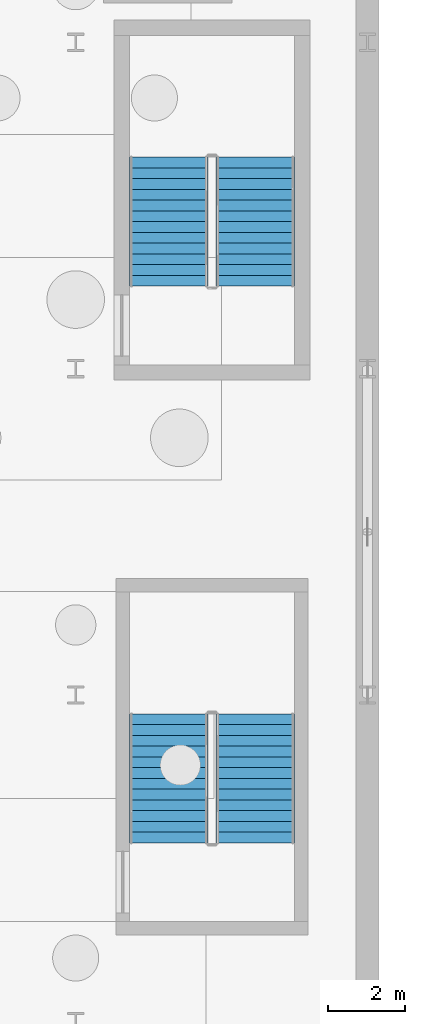
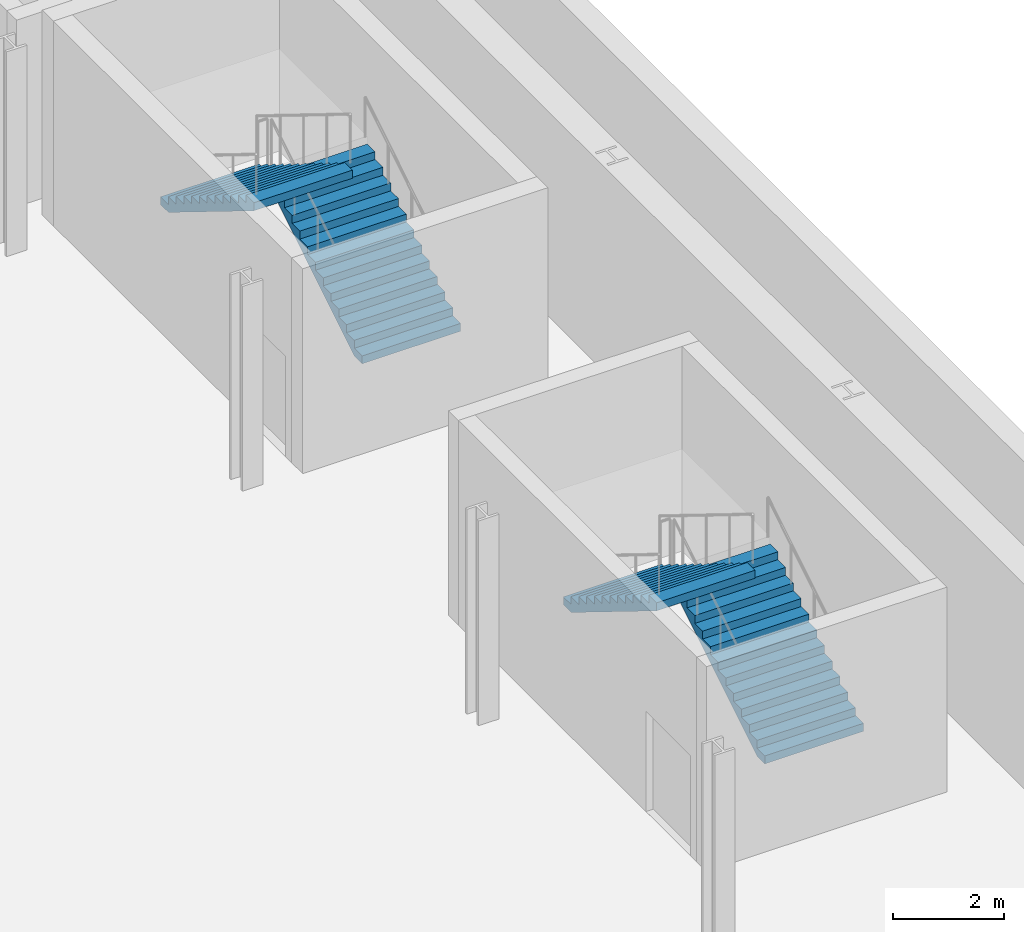
# One storey, part 34 of 45: 4 stair flights, 2 elements without a shape of their own.
"""IFC4 building model written with IfcOpenShell, lengths in metres."""

from ifc_helpers import new_model, si_unit, direction, frame, origin, place, context, subcontext, project, spatial, polyline, outline, extrude, material, type_object, element, aggregate, save


model = new_model("IFC4")

# Units and contexts
model_context = context("Model", 3, precision=1e-05, world=origin(), true_north=direction((0.0, 1.0)))
body_context = subcontext(model_context, "Body", "Model", "MODEL_VIEW")
ifc_project = project(units=[si_unit("LENGTHUNIT", "METRE"), si_unit("AREAUNIT", "SQUARE_METRE"), si_unit("VOLUMEUNIT", "CUBIC_METRE"), si_unit("PLANEANGLEUNIT", "RADIAN"), si_unit("MASSUNIT", "GRAM", prefix="KILO")], contexts=[model_context])

# Site, building, storey
site_placement = place(None, origin())
site = spatial("IfcSite", under=ifc_project, at=site_placement, CompositionType="ELEMENT")
building_placement = place(site_placement, origin())
building = spatial("IfcBuilding", under=site, at=building_placement, Name="Sefraquen Railside Congress Hotel", CompositionType="ELEMENT")
storey_placement = place(building_placement, frame((0.0, 0.0, -4.5)))
storey = spatial("IfcBuildingStorey", under=building, at=storey_placement, Name="B01", CompositionType="ELEMENT", Elevation=-4.5)

# Stair, stair flights
ifc_material = material(Name="Concrete C40/50", Category="concrete")
stair_type_1 = type_object("IfcStairType", Name="TST-DOG-205-540", PredefinedType="HALF_TURN_STAIR", material=ifc_material)
stair_1_placement = place(storey_placement, origin())
stair_1 = element("IfcStair", 1, at=stair_1_placement, inside=storey, type_object=stair_type_1, Name="B01 Pressurized escape stair ST-B02", PredefinedType="HALF_TURN_STAIR")
stair_flight_type_1 = type_object("IfcStairFlightType", Name="TSF-FLT-205-540", PredefinedType="STRAIGHT", material=ifc_material)
stair_flight_1_placement = place(storey_placement, frame((169.074951171875, 67.14990234375, 0.0), z_axis=(0.0, 0.0, 1.0), x_axis=(0.0, 1.0, 0.0)))
stair_flight_1 = element("IfcStairFlight", 2, at=stair_flight_1_placement, type_object=stair_flight_type_1, Name="ST-B02 flight 1", NumberOfRisers=13, NumberOfTreads=12, PredefinedType="STRAIGHT", RiserHeight=0.173076923, TreadLength=0.28, context=body_context, shape_type="SweptSolid", body=[
    extrude(outline(polyline([(0.0, 0.0), (0.0, 0.173095703125), (0.280029296875, 0.173095703125), (0.280029296875, 0.34619140625), (0.56005859375, 0.34619140625), (0.56005859375, 0.519287109375), (0.840087890625, 0.519287109375), (0.840087890625, 0.6923828125), (1.1201171875, 0.6923828125), (1.1201171875, 0.865478515625), (1.39990234375, 0.865478515625), (1.39990234375, 1.03857421875), (1.679931640625, 1.03857421875), (1.679931640625, 1.21142578125), (1.9599609375, 1.21142578125), (1.9599609375, 1.384521484375), (2.239990234375, 1.384521484375), (2.239990234375, 1.5576171875), (2.52001953125, 1.5576171875), (2.52001953125, 1.730712890625), (2.800048828125, 1.730712890625), (2.800048828125, 1.90380859375), (3.080078125, 1.90380859375), (3.080078125, 2.076904296875), (3.360107421875, 2.076904296875), (3.360107421875, 2.25), (3.360107421875, 1.900634765625), (0.28515625, 0.0), (0.0, 0.0)])), frame((0.0, 1.02490234375, 0.0), z_axis=(0.0, -1.0, 0.0), x_axis=(1.0, 0.0, 0.0)), (0.0, 0.0, 1.0), 2.050048828125),
])
stair_flight_2_placement = place(storey_placement, frame((166.824951171875, 70.510009765625, 2.25), z_axis=(0.0, 0.0, 1.0), x_axis=(0.0, -1.0, 0.0)))
stair_flight_2 = element("IfcStairFlight", 3, at=stair_flight_2_placement, type_object=stair_flight_type_1, Name="ST-B02 flight 2", NumberOfRisers=13, NumberOfTreads=12, PredefinedType="STRAIGHT", RiserHeight=0.173076923, TreadLength=0.28, context=body_context, shape_type="SweptSolid", body=[
    extrude(outline(polyline([(0.0, 0.0), (0.0, 0.173095703125), (0.280029296875, 0.173095703125), (0.280029296875, 0.34619140625), (0.56005859375, 0.34619140625), (0.56005859375, 0.519287109375), (0.840087890625, 0.519287109375), (0.840087890625, 0.6923828125), (1.1201171875, 0.6923828125), (1.1201171875, 0.865478515625), (1.39990234375, 0.865478515625), (1.39990234375, 1.03857421875), (1.679931640625, 1.03857421875), (1.679931640625, 1.21142578125), (1.9599609375, 1.21142578125), (1.9599609375, 1.384521484375), (2.239990234375, 1.384521484375), (2.239990234375, 1.5576171875), (2.52001953125, 1.5576171875), (2.52001953125, 1.730712890625), (2.800048828125, 1.730712890625), (2.800048828125, 1.90380859375), (3.080078125, 1.90380859375), (3.080078125, 2.076904296875), (3.360107421875, 2.076904296875), (3.360107421875, 2.25), (3.360107421875, 1.900634765625), (0.28515625, 0.0), (0.0, 0.0)])), frame((0.0, 1.02490234375, 0.0), z_axis=(0.0, -1.0, 0.0), x_axis=(1.0, 0.0, 0.0)), (0.0, 0.0, 1.0), 2.050048828125),
])
aggregate(stair_1, [stair_flight_1, stair_flight_2])

stair_type_2 = type_object("IfcStairType", Name="TST-DOG-205-600", PredefinedType="HALF_TURN_STAIR", material=ifc_material)
stair_2_placement = place(storey_placement, origin())
stair_2 = element("IfcStair", 4, at=stair_2_placement, inside=storey, type_object=stair_type_2, Name="B01 Pressurized escape stair ST-B01", PredefinedType="HALF_TURN_STAIR")
stair_flight_type_2 = type_object("IfcStairFlightType", Name="TSF-FLT-205-600", PredefinedType="STRAIGHT", material=ifc_material)
stair_flight_3_placement = place(storey_placement, frame((169.074951171875, 81.64990234375, 0.0), z_axis=(0.0, 0.0, 1.0), x_axis=(0.0, 1.0, 0.0)))
stair_flight_3 = element("IfcStairFlight", 5, at=stair_flight_3_placement, type_object=stair_flight_type_2, Name="ST-B01 flight 1", NumberOfRisers=13, NumberOfTreads=12, PredefinedType="STRAIGHT", RiserHeight=0.173076923, TreadLength=0.28, context=body_context, shape_type="SweptSolid", body=[
    extrude(outline(polyline([(0.0, 0.0), (0.0, 0.173095703125), (0.280029296875, 0.173095703125), (0.280029296875, 0.34619140625), (0.56005859375, 0.34619140625), (0.56005859375, 0.519287109375), (0.840087890625, 0.519287109375), (0.840087890625, 0.6923828125), (1.1201171875, 0.6923828125), (1.1201171875, 0.865478515625), (1.39990234375, 0.865478515625), (1.39990234375, 1.03857421875), (1.679931640625, 1.03857421875), (1.679931640625, 1.21142578125), (1.9599609375, 1.21142578125), (1.9599609375, 1.384521484375), (2.239990234375, 1.384521484375), (2.239990234375, 1.5576171875), (2.52001953125, 1.5576171875), (2.52001953125, 1.730712890625), (2.800048828125, 1.730712890625), (2.800048828125, 1.90380859375), (3.080078125, 1.90380859375), (3.080078125, 2.076904296875), (3.360107421875, 2.076904296875), (3.360107421875, 2.25), (3.360107421875, 1.900634765625), (0.28515625, 0.0), (0.0, 0.0)])), frame((0.0, 1.02490234375, 0.0), z_axis=(0.0, -1.0, 0.0), x_axis=(1.0, 0.0, 0.0)), (0.0, 0.0, 1.0), 2.050048828125),
])
stair_flight_4_placement = place(storey_placement, frame((166.824951171875, 85.010009765625, 2.25), z_axis=(0.0, 0.0, 1.0), x_axis=(0.0, -1.0, 0.0)))
stair_flight_4 = element("IfcStairFlight", 6, at=stair_flight_4_placement, type_object=stair_flight_type_2, Name="ST-B01 flight 2", NumberOfRisers=13, NumberOfTreads=12, PredefinedType="STRAIGHT", RiserHeight=0.173076923, TreadLength=0.28, context=body_context, shape_type="SweptSolid", body=[
    extrude(outline(polyline([(0.0, 0.0), (0.0, 0.173095703125), (0.280029296875, 0.173095703125), (0.280029296875, 0.34619140625), (0.56005859375, 0.34619140625), (0.56005859375, 0.519287109375), (0.840087890625, 0.519287109375), (0.840087890625, 0.6923828125), (1.1201171875, 0.6923828125), (1.1201171875, 0.865478515625), (1.39990234375, 0.865478515625), (1.39990234375, 1.03857421875), (1.679931640625, 1.03857421875), (1.679931640625, 1.21142578125), (1.9599609375, 1.21142578125), (1.9599609375, 1.384521484375), (2.239990234375, 1.384521484375), (2.239990234375, 1.5576171875), (2.52001953125, 1.5576171875), (2.52001953125, 1.730712890625), (2.800048828125, 1.730712890625), (2.800048828125, 1.90380859375), (3.080078125, 1.90380859375), (3.080078125, 2.076904296875), (3.360107421875, 2.076904296875), (3.360107421875, 2.25), (3.360107421875, 1.900634765625), (0.28515625, 0.0), (0.0, 0.0)])), frame((0.0, 1.02490234375, 0.0), z_axis=(0.0, -1.0, 0.0), x_axis=(1.0, 0.0, 0.0)), (0.0, 0.0, 1.0), 2.050048828125),
])
aggregate(stair_2, [stair_flight_3, stair_flight_4])

save(model, "model.ifc")
